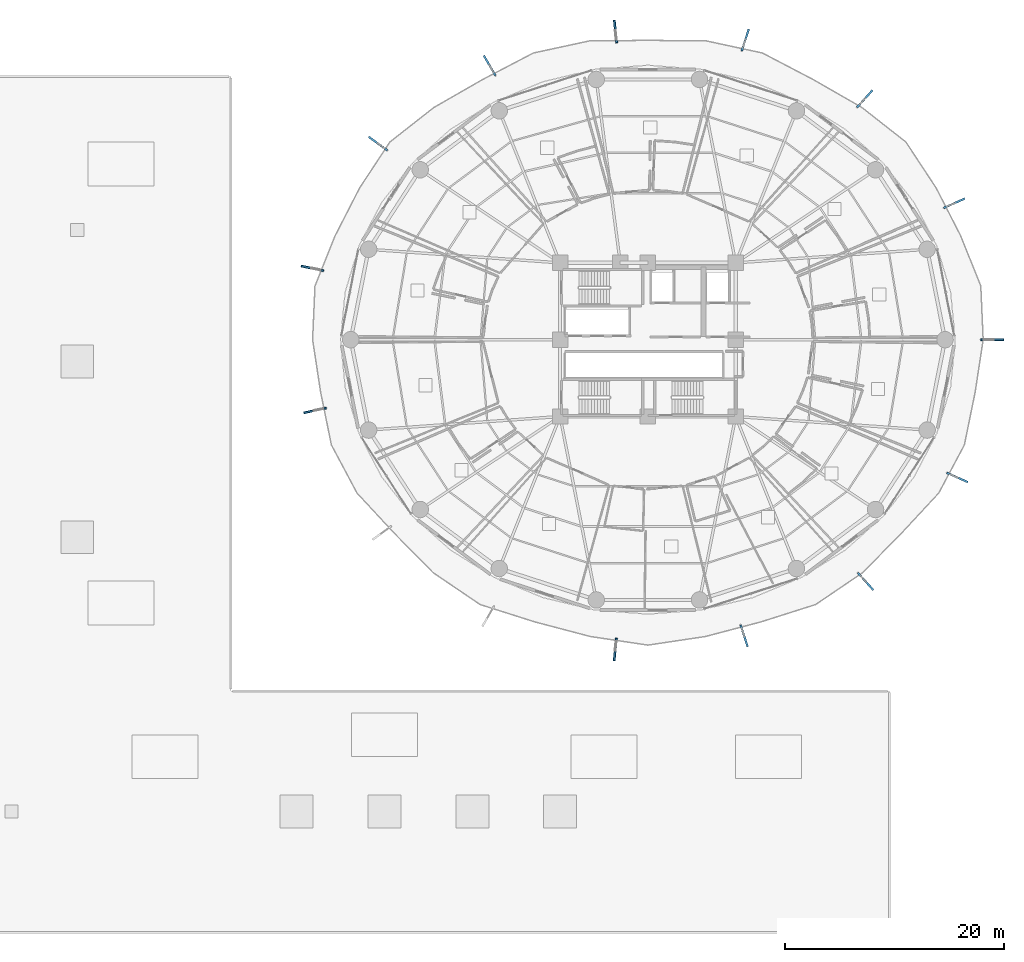
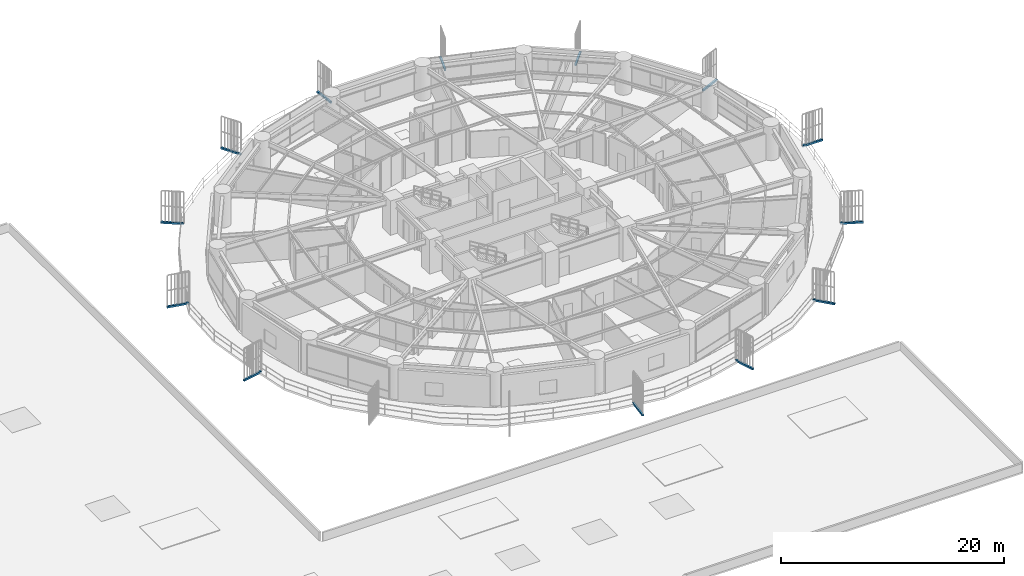
# One storey, part 30 of 35: 13 discrete accessories.
"""IFC4 building model written with IfcOpenShell, lengths in metres."""

from ifc_helpers import new_model, si_unit, direction, frame, origin, origin_2d, place, context, subcontext, project, spatial, rectangle, extrude, source, transform, mapped, material, type_object, element, save


model = new_model("IFC4")

# Units and contexts
model_context = context("Model", 3, precision=1e-05, world=origin(), true_north=direction((0.0, 1.0)))
body_context = subcontext(model_context, "Body", "Model", "MODEL_VIEW")
ifc_project = project(units=[si_unit("LENGTHUNIT", "METRE"), si_unit("AREAUNIT", "SQUARE_METRE"), si_unit("VOLUMEUNIT", "CUBIC_METRE"), si_unit("PLANEANGLEUNIT", "RADIAN"), si_unit("MASSUNIT", "GRAM", prefix="KILO")], contexts=[model_context])

# Site, building, storey
site_placement = place(None, origin())
site = spatial("IfcSite", under=ifc_project, at=site_placement, CompositionType="ELEMENT")
building_placement = place(site_placement, origin())
building = spatial("IfcBuilding", under=site, at=building_placement, Name="Kelanora Arch Commons", CompositionType="ELEMENT")
storey_placement = place(building_placement, frame((0.0, 0.0, 22.5)))
storey = spatial("IfcBuildingStorey", under=building, at=storey_placement, Name="L05", CompositionType="ELEMENT", Elevation=22.5)

# Discrete accessories
ifc_material = material(Name="Stainless steel 316 marine fin bracket", Category="steel")
discrete_accessory_type = type_object("IfcDiscreteAccessoryType", Name="ACC-FIN-BRK", PredefinedType="BRACKET", material=ifc_material)
shared_shape = source(origin(), body_context, "Body", "SweptSolid", [
    extrude(rectangle(XDim=2.090087890625, YDim=0.179931640625, at=origin_2d()), origin(), (0.0, 0.0, 1.0), 0.199951171875),
])
for number, where, z_axis, x_axis, name in (
    (1, (105.385009765625, 58.0, -0.16015625), (0.0, 0.0, 1.0), (1.0, 0.0, 0.0), "Sweeping Fin Cantilever Spine Bracket L05-00"),
    (2, (101.915283203125, 70.4287109375, -0.16015625), (0.0, 0.0, 1.0), (0.913545457643, 0.406736643076, 0.0), "Sweeping Fin Cantilever Spine Bracket L05-01"),
    (3, (93.759521484375, 79.9453125, -0.16015625), (0.0, 0.0, 1.0), (0.669130606359, 0.743144825477, 0.0), "Sweeping Fin Cantilever Spine Bracket L05-02"),
    (4, (82.872802734375, 85.307373046875, -0.16015625), (0.0, 0.0, 1.0), (0.309016994375, 0.951056516295, 0.0), "Sweeping Fin Cantilever Spine Bracket L05-03"),
    (5, (71.048583984375, 86.080810546875, -0.16015625), (0.0, 0.0, 1.0), (-0.104528463268, 0.994521895368, 0.0), "Sweeping Fin Cantilever Spine Bracket L05-04"),
    (6, (59.579833984375, 82.976318359375, -0.16015625), (0.0, 0.0, 1.0), (-0.5, 0.866025403784, 0.0), "Sweeping Fin Cantilever Spine Bracket L05-05"),
    (7, (49.40478515625, 75.869384765625, -0.16015625), (0.0, 0.0, 1.0), (-0.809016994375, 0.587785252292, 0.0), "Sweeping Fin Cantilever Spine Bracket L05-06"),
    (8, (43.425537109375, 64.498779296875, -0.16015625), (0.0, 0.0, 1.0), (-0.978147600734, 0.207911690818, 0.0), "Sweeping Fin Cantilever Spine Bracket L05-07"),
    (9, (43.669189453125, 51.552978515625, -0.16015625), (0.0, 0.0, 1.0), (-0.978147600734, -0.207911690818, 0.0), "Sweeping Fin Cantilever Spine Bracket L05-08"),
    (10, (71.033203125, 29.771240234375, -0.16015625), (0.0, 0.0, 1.0), (-0.104528463268, -0.994521895368, 0.0), "Sweeping Fin Cantilever Spine Bracket L05-11"),
    (11, (82.76611328125, 31.02099609375, -0.16015625), (0.0, 0.0, 1.0), (0.309016994375, -0.951056516295, 0.0), "Sweeping Fin Cantilever Spine Bracket L05-12"),
    (12, (93.84228515625, 35.962890625, -0.16015625), (0.0, 0.0, 1.0), (0.669130606359, -0.743144825477, 0.0), "Sweeping Fin Cantilever Spine Bracket L05-13"),
    (13, (102.199462890625, 45.44482421875, -0.16015625), (0.0, 0.0, 1.0), (0.913545457643, -0.406736643076, 0.0), "Sweeping Fin Cantilever Spine Bracket L05-14"),
):
    element("IfcDiscreteAccessory", number, at=place(storey_placement, frame(where, z_axis=z_axis, x_axis=x_axis)), inside=storey, type_object=discrete_accessory_type, Name=name, PredefinedType="BRACKET", context=body_context, shape_type="MappedRepresentation", body=[
        mapped(shared_shape, transform((0.0, 0.0, 0.0), scale=1.0)),
    ])

save(model, "model.ifc")
